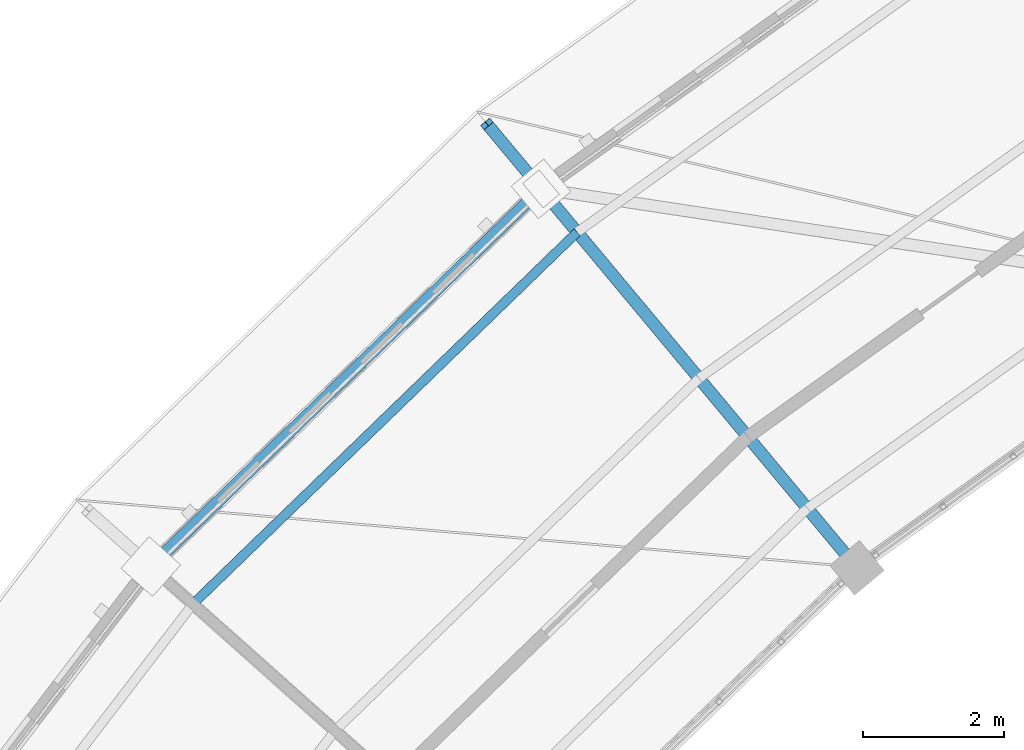
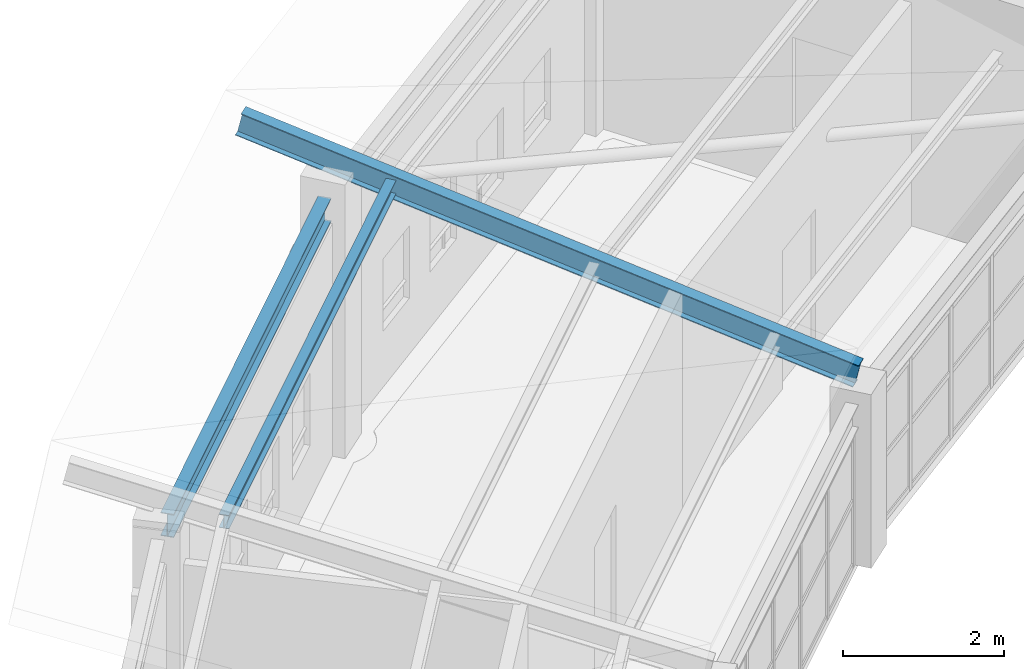
# One storey, part 73 of 149: 2 members, 1 beam.
"""IFC4 building model written with IfcOpenShell, lengths in metres."""

from ifc_helpers import new_model, si_unit, direction, frame, origin, origin_2d, place, context, subcontext, project, spatial, i_section, extrude, material, material_profile, profile_set, type_object, element, save


model = new_model("IFC4")

# Units and contexts
model_context = context("Model", 3, precision=1e-05, world=origin(), true_north=direction((0.0, 1.0)))
body_context = subcontext(model_context, "Body", "Model", "MODEL_VIEW")
ifc_project = project(units=[si_unit("LENGTHUNIT", "METRE"), si_unit("AREAUNIT", "SQUARE_METRE"), si_unit("VOLUMEUNIT", "CUBIC_METRE"), si_unit("PLANEANGLEUNIT", "RADIAN"), si_unit("MASSUNIT", "GRAM", prefix="KILO")], contexts=[model_context])

# Site, building, storey
site_placement = place(None, origin())
site = spatial("IfcSite", under=ifc_project, at=site_placement, CompositionType="ELEMENT")
building_placement = place(site_placement, origin())
building = spatial("IfcBuilding", under=site, at=building_placement, Name="Celadon Cloister-Ring School", CompositionType="ELEMENT")
storey_placement = place(building_placement, frame((0.0, 0.0, 12.5)))
storey = spatial("IfcBuildingStorey", under=building, at=storey_placement, Name="L03", CompositionType="ELEMENT", Elevation=12.5)

# Members
ifc_material_1 = material(Name="Structural steel S355JR", Category="steel")
ifc_material_profile_1 = material_profile(ifc_material_1, i_section(OverallWidth=0.133056640625, OverallDepth=0.20703125, WebThickness=0.005859375, FlangeThickness=0.00830078125, at=origin_2d()), Name="W200X27")
ifc_profile_set_1 = profile_set([ifc_material_profile_1], Name="Structural steel S355JR")
member_type_1 = type_object("IfcMemberType", Name="MP-04", PredefinedType="PURLIN", material=ifc_profile_set_1)
member_1_placement = place(storey_placement, frame((54.215087890625, 98.326904296875, 4.073974609375), z_axis=(-0.71856789452, -0.695456814594, 0.0), x_axis=(0.695456814594, -0.71856789452, 0.0)))
element("IfcMember", 1, at=member_1_placement, inside=storey, type_object=member_type_1, Name="Structural Member 0083", PredefinedType="PURLIN", context=body_context, shape_type="SweptSolid", body=[
    extrude(i_section(OverallWidth=0.133056640625, OverallDepth=0.20703125, WebThickness=0.005859375, FlangeThickness=0.00830078125, at=origin_2d()), origin(), (0.0, 0.0, 1.0), 7.584716796875),
])
ifc_material_2 = material(Name="Structural steel S355JR", Category="steel")
ifc_material_profile_2 = material_profile(ifc_material_2, i_section(OverallWidth=0.1708984375, OverallDepth=0.35498046875, WebThickness=0.007080078125, FlangeThickness=0.01171875, at=origin_2d()), Name="W360X51")
ifc_profile_set_2 = profile_set([ifc_material_profile_2], Name="Structural steel S355JR")
member_type_2 = type_object("IfcMemberType", Name="MR-05", PredefinedType="RAFTER", material=ifc_profile_set_2)
member_2_placement = place(storey_placement, frame((58.18505859375, 93.56494140625, 2.72607421875), z_axis=(-0.624515771903, 0.749192399915, 0.220659916058), x_axis=(-0.7681260862, -0.640298614476, 0.0)))
element("IfcMember", 2, at=member_2_placement, inside=storey, type_object=member_type_2, Name="Structural Member 0004", PredefinedType="RAFTER", context=body_context, shape_type="SweptSolid", body=[
    extrude(i_section(OverallWidth=0.1708984375, OverallDepth=0.35498046875, WebThickness=0.007080078125, FlangeThickness=0.01171875, at=origin_2d()), origin(), (0.0, 0.0, 1.0), 8.406494140625),
])

# Beam
ifc_material_3 = material(Name="Structural steel S355JR", Category="steel")
ifc_material_profile_3 = material_profile(ifc_material_3, i_section(OverallWidth=0.1708984375, OverallDepth=0.35498046875, WebThickness=0.007080078125, FlangeThickness=0.01171875, at=origin_2d()), Name="W360X51")
ifc_profile_set_3 = profile_set([ifc_material_profile_3], Name="Structural steel S355JR")
beam_type = type_object("IfcBeamType", Name="SP-04", PredefinedType="SPANDREL", material=ifc_profile_set_3)
beam_placement = place(storey_placement, frame((53.5048828125, 98.75, 3.722900390625), z_axis=(-0.718465669268, -0.695562421414, 0.0), x_axis=(0.695562421414, -0.718465669268, 0.0)))
element("IfcBeam", 3, at=beam_placement, inside=storey, type_object=beam_type, Name="Beam 0526", PredefinedType="SPANDREL", context=body_context, shape_type="SweptSolid", body=[
    extrude(i_section(OverallWidth=0.1708984375, OverallDepth=0.35498046875, WebThickness=0.007080078125, FlangeThickness=0.01171875, at=origin_2d()), origin(), (0.0, 0.0, 1.0), 7.152587890625),
])

save(model, "model.ifc")
